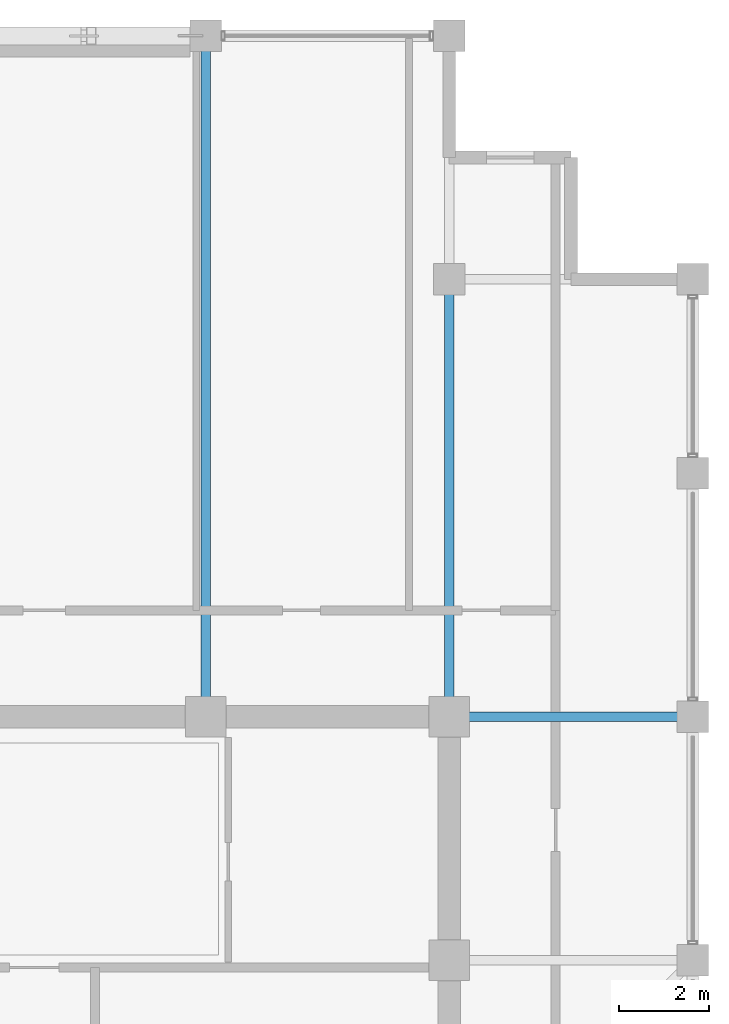
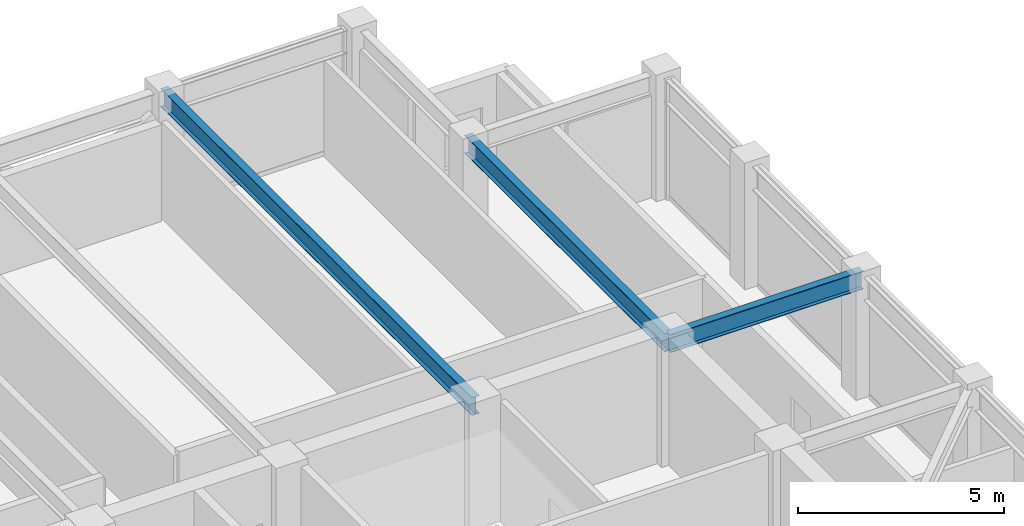
# One storey, part 20 of 31: 3 beams.
"""IFC4 building model written with IfcOpenShell, lengths in metres."""

from ifc_helpers import new_model, si_unit, direction, frame, origin, origin_2d, place, context, subcontext, project, spatial, i_section, extrude, material, material_profile, profile_set, type_object, element, save


model = new_model("IFC4")

# Units and contexts
model_context = context("Model", 3, precision=1e-05, world=origin(), true_north=direction((0.0, 1.0)))
body_context = subcontext(model_context, "Body", "Model", "MODEL_VIEW")
ifc_project = project(units=[si_unit("LENGTHUNIT", "METRE"), si_unit("AREAUNIT", "SQUARE_METRE"), si_unit("VOLUMEUNIT", "CUBIC_METRE"), si_unit("PLANEANGLEUNIT", "RADIAN"), si_unit("MASSUNIT", "GRAM", prefix="KILO")], contexts=[model_context])

# Site, building, storey
site_placement = place(None, origin())
site = spatial("IfcSite", under=ifc_project, at=site_placement, CompositionType="ELEMENT")
building_placement = place(site_placement, origin())
building = spatial("IfcBuilding", under=site, at=building_placement, Name="Surkhivell Harbour Commons", CompositionType="ELEMENT")
storey_placement = place(building_placement, frame((0.0, 0.0, 285.0)))
storey = spatial("IfcBuildingStorey", under=building, at=storey_placement, Name="L74", CompositionType="ELEMENT", Elevation=285.0)

# Beams
ifc_material = material(Name="Steel S355", Category="steel")
ifc_material_profile = material_profile(ifc_material, i_section(OverallWidth=0.2099609375, OverallDepth=0.537109375, WebThickness=0.0107421875, FlangeThickness=0.017333984375, at=origin_2d()), Name="UB533x210x101")
ifc_profile_set = profile_set([ifc_material_profile], Name="Steel S355")
beam_type = type_object("IfcBeamType", Name="BM-GRD-533B", PredefinedType="BEAM", material=ifc_profile_set)
beam_1_placement = place(storey_placement, frame((5.39990234375, 10.800048828125, 3.301513671875), z_axis=(0.0, 1.0, 0.0), x_axis=(-1.0, 0.0, 0.0)))
element("IfcBeam", 1, at=beam_1_placement, inside=storey, type_object=beam_type, Name="L74 Floor Girder (5.4,10.8)", PredefinedType="BEAM", context=body_context, shape_type="SweptSolid", body=[
    extrude(i_section(OverallWidth=0.2099609375, OverallDepth=0.537109375, WebThickness=0.0107421875, FlangeThickness=0.017333984375, at=origin_2d()), origin(), (0.0, 0.0, 1.0), 15.099853515625),
])
beam_2_placement = place(storey_placement, frame((10.800048828125, 10.800048828125, 3.301513671875), z_axis=(0.0, 1.0, 0.0), x_axis=(-1.0, 0.0, 0.0)))
element("IfcBeam", 2, at=beam_2_placement, inside=storey, type_object=beam_type, Name="L74 Floor Girder (10.8,10.8)", PredefinedType="BEAM", context=body_context, shape_type="SweptSolid", body=[
    extrude(i_section(OverallWidth=0.2099609375, OverallDepth=0.537109375, WebThickness=0.0107421875, FlangeThickness=0.017333984375, at=origin_2d()), origin(), (0.0, 0.0, 1.0), 9.699951171875),
])
beam_3_placement = place(storey_placement, frame((10.800048828125, 10.800048828125, 3.301513671875), z_axis=(1.0, 0.0, 0.0), x_axis=(0.0, 1.0, 0.0)))
element("IfcBeam", 3, at=beam_3_placement, inside=storey, type_object=beam_type, Name="L74 Floor Girder (10.8,10.8)", PredefinedType="BEAM", context=body_context, shape_type="SweptSolid", body=[
    extrude(i_section(OverallWidth=0.2099609375, OverallDepth=0.537109375, WebThickness=0.0107421875, FlangeThickness=0.017333984375, at=origin_2d()), origin(), (0.0, 0.0, 1.0), 5.39990234375),
])

save(model, "model.ifc")
